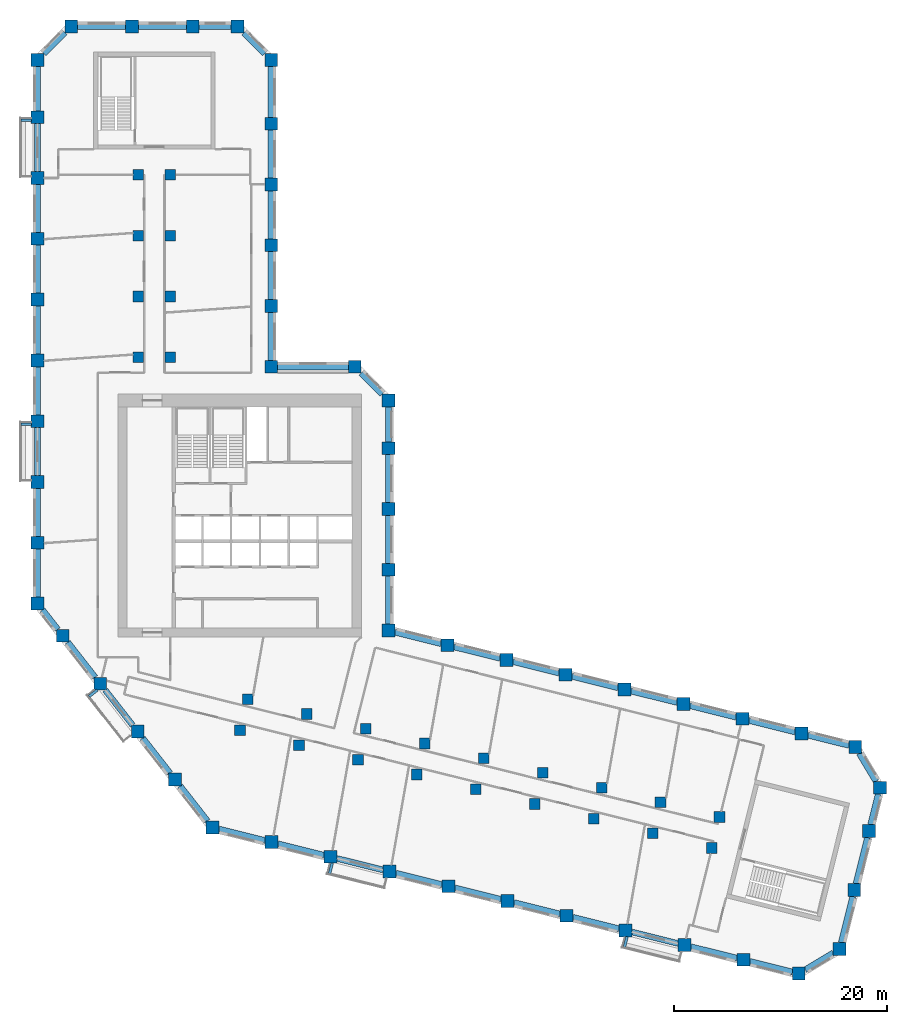
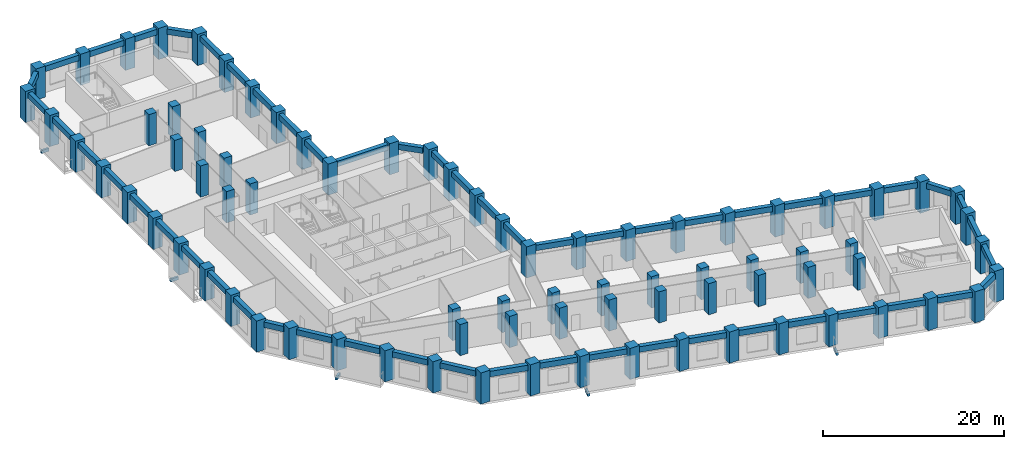
# One storey, part 1 of 10: 79 columns, 58 beams.
"""IFC4 building model written with IfcOpenShell, lengths in metres."""

import ifcopenshell
import ifcopenshell.guid

model = None  # the IFC model being written
_history = None  # IfcOwnerHistory: only IFC2X3 demands one
_inside = {}  # id of a spatial element -> (the spatial element, [elements in it])
_under = {}  # id of a project, library or spatial element -> (it, [spatial elements below it])
_declared = {}  # id of a project -> (the project, [libraries it declares])
_typed = {}  # id of a type object -> (the type object, [elements of that type])
_made_of = {}  # id of a material, layer set ... -> (it, [elements and type objects made of it])


def new_model(schema):
    """Start an empty IFC model of exactly this schema.

    Asked for "IFC4X3", IfcOpenShell would pick the latest addendum, in which some entities
    have other attributes; the version numbers below select the first issue.
    IFC2X3 requires an IfcOwnerHistory on every rooted entity: one is made here for all.
    """
    global model, _history
    if schema == "IFC4X3":
        model = ifcopenshell.file(schema_version=(4, 3, 0, 0))
    else:
        model = ifcopenshell.file(schema=schema)
    _inside.clear()
    _under.clear()
    _declared.clear()
    _typed.clear()
    _made_of.clear()
    _history = None
    if model.schema == "IFC2X3":
        org = make("IfcOrganization", Name="unknown")
        user = make(
            "IfcPersonAndOrganization",
            ThePerson=make("IfcPerson", FamilyName="unknown"),
            TheOrganization=org,
        )
        app = make(
            "IfcApplication",
            ApplicationDeveloper=org,
            Version="unknown",
            ApplicationFullName="unknown",
            ApplicationIdentifier="unknown",
        )
        _history = make(
            "IfcOwnerHistory",
            OwningUser=user,
            OwningApplication=app,
            ChangeAction="ADDED",
            CreationDate=0,
        )
    return model


def make(cls, **values):
    """One entity of the class cls with the attributes given. An attribute that is None is left unset."""
    return model.create_entity(
        cls, **{name: value for name, value in values.items() if value is not None}
    )


def rooted(cls, **values):
    """An entity with a GlobalId (a new one), such as an element, a storey or a relation."""
    return make(cls, GlobalId=ifcopenshell.guid.new(), OwnerHistory=_history, **values)


def si_unit(unit_type, name, prefix=None):
    """IfcSIUnit, for example si_unit("LENGTHUNIT", "METRE", prefix="MILLI")."""
    return make("IfcSIUnit", UnitType=unit_type, Prefix=prefix, Name=name)


def assignment(units):
    """IfcUnitAssignment: the units of a project."""
    return None if units is None else make("IfcUnitAssignment", Units=units)


def point(xyz):
    """IfcCartesianPoint."""
    return None if xyz is None else make("IfcCartesianPoint", Coordinates=xyz)


def direction(xyz):
    """IfcDirection."""
    return None if xyz is None else make("IfcDirection", DirectionRatios=xyz)


def frame(location, z_axis=None, x_axis=None):
    """IfcAxis2Placement3D, a coordinate frame: its origin and axes. An axis left out is left unset."""
    return make(
        "IfcAxis2Placement3D",
        Location=point(location),
        Axis=direction(z_axis),
        RefDirection=direction(x_axis),
    )


def frame_2d(location, x_axis=None):
    """IfcAxis2Placement2D, a coordinate frame in the plane: its origin and x axis."""
    return make(
        "IfcAxis2Placement2D", Location=point(location), RefDirection=direction(x_axis)
    )


def origin():
    """The frame at (0, 0, 0) with its axes left unset."""
    return frame((0.0, 0.0, 0.0))


def origin_2d():
    """The frame at (0, 0) in the plane with its x axis left unset."""
    return frame_2d((0.0, 0.0))


def place(relative_to, where):
    """IfcLocalPlacement: puts the frame where relative to a parent placement (None: the world)."""
    return make(
        "IfcLocalPlacement", PlacementRelTo=relative_to, RelativePlacement=where
    )


def context(
    kind, dimensions, precision=None, world=None, true_north=None, identifier=None
):
    """IfcGeometricRepresentationContext, for example the 3D "Model" context."""
    return make(
        "IfcGeometricRepresentationContext",
        ContextIdentifier=identifier,
        ContextType=kind,
        CoordinateSpaceDimension=dimensions,
        Precision=precision,
        WorldCoordinateSystem=world,
        TrueNorth=true_north,
    )


def subcontext(parent, identifier, kind, view, scale=None):
    """IfcGeometricRepresentationSubContext, for example "Body" below "Model"."""
    return make(
        "IfcGeometricRepresentationSubContext",
        ContextIdentifier=identifier,
        ContextType=kind,
        ParentContext=parent,
        TargetScale=scale,
        TargetView=view,
    )


def project(units=None, contexts=None):
    """IfcProject with its units and contexts."""
    return rooted(
        "IfcProject",
        Name="project",
        RepresentationContexts=contexts,
        UnitsInContext=assignment(units),
    )


def spatial(cls, under=None, at=None, **own):
    """A site, building, storey or space (cls), placed at a placement, below another one or the project."""
    s = rooted(cls, ObjectPlacement=at, **own)
    if under is not None:
        _under.setdefault(under.id(), (under, []))[1].append(s)
    return s


def profile(cls, at=None, kind="AREA", **sizes):
    """A parametric profile (cls). Its sizes go by their IFC names, for example OverallWidth=200.0."""
    return make(cls, ProfileType=kind, Position=at, **sizes)


def rectangle(**sizes):
    """IfcRectangleProfileDef."""
    return profile("IfcRectangleProfileDef", **sizes)


def extrude(swept, where, along, depth):
    """IfcExtrudedAreaSolid: the profile swept, set in the frame where, extruded along a direction by depth."""
    return make(
        "IfcExtrudedAreaSolid",
        SweptArea=swept,
        Position=where,
        ExtrudedDirection=direction(along),
        Depth=depth,
    )


def shape(context_of_items, identifier, shape_type, items):
    """IfcShapeRepresentation: the items that make up one representation, for example the "Body"."""
    return make(
        "IfcShapeRepresentation",
        ContextOfItems=context_of_items,
        RepresentationIdentifier=identifier,
        RepresentationType=shape_type,
        Items=items,
    )


def material(Name=None, Category=None):
    """IfcMaterial."""
    return make("IfcMaterial", Name=Name, Category=Category)


def material_profile(
    of_material, cross_section, Name=None, Category=None, Priority=None
):
    """IfcMaterialProfile: a cross section and its material."""
    return make(
        "IfcMaterialProfile",
        Name=Name,
        Material=of_material,
        Profile=cross_section,
        Priority=Priority,
        Category=Category,
    )


def profile_set(profiles, Name=None, composite=None):
    """IfcMaterialProfileSet."""
    return make(
        "IfcMaterialProfileSet",
        Name=Name,
        MaterialProfiles=profiles,
        CompositeProfile=composite,
    )


def made_of(thing, what):
    """Note that an element or type object is made of a material, layer set ...; save() writes the relation."""
    if what is not None:
        _made_of.setdefault(what.id(), (what, []))[1].append(thing)
    return thing


def type_object(cls, material=None, **own):
    """A type object (cls), such as IfcWallType, which elements share."""
    return made_of(rooted(cls, **own), material)


def element(
    cls,
    number,
    at=None,
    inside=None,
    cuts=None,
    type_object=None,
    material=None,
    context=None,
    identifier="Body",
    shape_type=None,
    held_by="IfcProductDefinitionShape",
    body=None,
    shapes=None,
    **own,
):
    """One element of the class cls, such as IfcWall. Its Tag is "e" and its number.

    at: its placement. inside: the storey or other place that contains it. cuts: it is an
    opening in that element (IfcRelVoidsElement). A single representation is given by context,
    identifier, shape_type and body (its items); several are given by shapes. held_by: the class
    of the entity that holds the representations. save() writes the other relations.
    """
    e = rooted(cls, Tag="e%d" % number, ObjectPlacement=at, **own)
    if body is not None:
        shapes = [shape(context, identifier, shape_type, body)]
    if shapes is not None:
        e.Representation = make(held_by, Representations=shapes)
    if inside is not None:
        _inside.setdefault(inside.id(), (inside, []))[1].append(e)
    if cuts is not None:
        rooted(
            "IfcRelVoidsElement", RelatingBuildingElement=cuts, RelatedOpeningElement=e
        )
    if type_object is not None:
        _typed.setdefault(type_object.id(), (type_object, []))[1].append(e)
    return made_of(e, material)


def aggregate(whole, parts):
    """IfcRelAggregates: a whole, such as a stair, and the parts it consists of."""
    return rooted("IfcRelAggregates", RelatingObject=whole, RelatedObjects=parts)


def save(model, path):
    """Write the relations noted so far, then the file.

    IfcRelAggregates (storeys below a building ...), IfcRelContainedInSpatialStructure (elements
    in a storey), IfcRelDefinesByType, IfcRelAssociatesMaterial and IfcRelDeclares: one each for
    every whole, place, type object, material and project.
    """
    for whole, parts in _under.values():
        aggregate(whole, parts)
    for where, things in _inside.values():
        rooted(
            "IfcRelContainedInSpatialStructure",
            RelatedElements=things,
            RelatingStructure=where,
        )
    for kind, things in _typed.values():
        rooted("IfcRelDefinesByType", RelatedObjects=things, RelatingType=kind)
    for what, things in _made_of.values():
        rooted("IfcRelAssociatesMaterial", RelatedObjects=things, RelatingMaterial=what)
    for by, libraries in _declared.values():
        rooted("IfcRelDeclares", RelatingContext=by, RelatedDefinitions=libraries)
    model.write(path)


model = new_model("IFC4")

# Units and contexts
model_context = context("Model", 3, precision=1e-05, world=origin(), true_north=direction((0.0, 1.0)))
body_context = subcontext(model_context, "Body", "Model", "MODEL_VIEW")
ifc_project = project(units=[si_unit("LENGTHUNIT", "METRE"), si_unit("AREAUNIT", "SQUARE_METRE"), si_unit("VOLUMEUNIT", "CUBIC_METRE"), si_unit("PLANEANGLEUNIT", "RADIAN"), si_unit("MASSUNIT", "GRAM", prefix="KILO")], contexts=[model_context])

# Site, building, storey
site_placement = place(None, origin())
site = spatial("IfcSite", under=ifc_project, at=site_placement, CompositionType="ELEMENT")
building_placement = place(site_placement, origin())
building = spatial("IfcBuilding", under=site, at=building_placement, Name="Meshkara Civic Tower", CompositionType="ELEMENT")
storey_placement = place(building_placement, frame((0.0, 0.0, 199.199951171875)))
storey = spatial("IfcBuildingStorey", under=building, at=storey_placement, Name="L45", CompositionType="ELEMENT", Elevation=199.199951171875)

# Columns
ifc_material_1 = material(Name="Concrete C70", Category="concrete")
ifc_material_profile_1 = material_profile(ifc_material_1, rectangle(XDim=1.0, YDim=1.0, at=origin_2d()))
ifc_profile_set_1 = profile_set([ifc_material_profile_1], Name="Concrete C70")
column_type_1 = type_object("IfcColumnType", Name="Interior column RC 1000x1000 C70", PredefinedType="COLUMN", material=ifc_profile_set_1)
for number, where, z_axis, x_axis, name in (
    (1, (9.89990234375, 40.35009765625, 0.0), (0.0, 0.0, 1.0), (1.0, 0.0, 0.0), "Column SA1-04 L45"),
    (2, (9.89990234375, 46.050048828125, 0.0), (0.0, 0.0, 1.0), (1.0, 0.0, 0.0), "Column SA1-05 L45"),
    (3, (9.89990234375, 51.75, 0.0), (0.0, 0.0, 1.0), (1.0, 0.0, 0.0), "Column SA1-06 L45"),
    (4, (9.89990234375, 57.449951171875, 0.0), (0.0, 0.0, 1.0), (1.0, 0.0, 0.0), "Column SA1-07 L45"),
    (5, (12.89990234375, 40.35009765625, 0.0), (0.0, 0.0, 1.0), (1.0, 0.0, 0.0), "Column SA2-04 L45"),
    (6, (12.89990234375, 46.050048828125, 0.0), (0.0, 0.0, 1.0), (1.0, 0.0, 0.0), "Column SA2-05 L45"),
    (7, (12.89990234375, 51.75, 0.0), (0.0, 0.0, 1.0), (1.0, 0.0, 0.0), "Column SA2-06 L45"),
    (8, (12.89990234375, 57.449951171875, 0.0), (0.0, 0.0, 1.0), (1.0, 0.0, 0.0), "Column SA2-07 L45"),
    (9, (19.424072265625, 5.360107421875, 0.0), (0.0, 0.0, 1.0), (1.0, 0.0, 0.0), "Column SB1-00 L45"),
    (10, (24.9541015625, 3.98095703125, 0.0), (0.0, 0.0, 1.0), (1.0, 0.0, 0.0), "Column SB1-01 L45"),
    (11, (30.485107421875, 2.60205078125, 0.0), (0.0, 0.0, 1.0), (1.0, 0.0, 0.0), "Column SB1-02 L45"),
    (12, (36.01611328125, 1.222900390625, 0.0), (0.0, 0.0, 1.0), (1.0, 0.0, 0.0), "Column SB1-03 L45"),
    (13, (41.5458984375, -0.156005859375, 0.0), (0.0, 0.0, 1.0), (1.0, 0.0, 0.0), "Column SB1-04 L45"),
    (14, (47.076904296875, -1.534912109375, 0.0), (0.0, 0.0, 1.0), (1.0, 0.0, 0.0), "Column SB1-05 L45"),
    (15, (52.60791015625, -2.9140625, 0.0), (0.0, 0.0, 1.0), (1.0, 0.0, 0.0), "Column SB1-06 L45"),
    (16, (58.138916015625, -4.2919921875, 0.0), (0.0, 0.0, 1.0), (1.0, 0.0, 0.0), "Column SB1-07 L45"),
    (17, (63.6689453125, -5.6708984375, 0.0), (0.0, 0.0, 1.0), (1.0, 0.0, 0.0), "Column SB1-08 L45"),
    (18, (20.14892578125, 8.27099609375, 0.0), (0.0, 0.0, 1.0), (1.0, 0.0, 0.0), "Column SB2-00 L45"),
    (19, (25.679931640625, 6.89208984375, 0.0), (0.0, 0.0, 1.0), (1.0, 0.0, 0.0), "Column SB2-01 L45"),
    (20, (31.2109375, 5.512939453125, 0.0), (0.0, 0.0, 1.0), (1.0, 0.0, 0.0), "Column SB2-02 L45"),
    (21, (36.741943359375, 4.134033203125, 0.0), (0.0, 0.0, 1.0), (1.0, 0.0, 0.0), "Column SB2-03 L45"),
    (22, (42.27197265625, 2.7548828125, 0.0), (0.0, 0.0, 1.0), (1.0, 0.0, 0.0), "Column SB2-04 L45"),
    (23, (47.802978515625, 1.3759765625, 0.0), (0.0, 0.0, 1.0), (1.0, 0.0, 0.0), "Column SB2-05 L45"),
    (24, (53.333984375, -0.0029296875, 0.0), (0.0, 0.0, 1.0), (1.0, 0.0, 0.0), "Column SB2-06 L45"),
    (25, (58.864013671875, -1.382080078125, 0.0), (0.0, 0.0, 1.0), (1.0, 0.0, 0.0), "Column SB2-07 L45"),
    (26, (64.39501953125, -2.760986328125, 0.0), (0.0, 0.0, 1.0), (1.0, 0.0, 0.0), "Column SB2-08 L45"),
):
    element("IfcColumn", number, at=place(storey_placement, frame(where, z_axis=z_axis, x_axis=x_axis)), inside=storey, type_object=column_type_1, Name=name, PredefinedType="COLUMN", context=body_context, shape_type="SweptSolid", body=[
        extrude(rectangle(XDim=1.0, YDim=1.0, at=origin_2d()), origin(), (0.0, 0.0, 1.0), 4.199951171875),
    ])
ifc_material_2 = material(Name="Concrete C70", Category="concrete")
ifc_material_profile_2 = material_profile(ifc_material_2, rectangle(XDim=1.199951171875, YDim=1.199951171875, at=origin_2d()))
ifc_profile_set_2 = profile_set([ifc_material_profile_2], Name="Concrete C70")
column_type_2 = type_object("IfcColumnType", Name="Perimeter column RC 1200x1200 C70", PredefinedType="COLUMN", material=ifc_profile_set_2)
for number, where, z_axis, x_axis, name in (
    (27, (33.35009765625, 14.718994140625, 0.0), (0.0, 0.0, 1.0), (1.0, 0.0, 0.0), "Column HE00 L45"),
    (28, (33.35009765625, 20.4189453125, 0.0), (0.0, 0.0, 1.0), (1.0, 0.0, 0.0), "Column HE01 L45"),
    (29, (33.35009765625, 26.118896484375, 0.0), (0.0, 0.0, 1.0), (1.0, 0.0, 0.0), "Column HE02 L45"),
    (30, (33.35009765625, 31.819091796875, 0.0), (0.0, 0.0, 1.0), (1.0, 0.0, 0.0), "Column HE03 L45"),
    (31, (33.35009765625, 36.2939453125, 0.0), (0.0, 0.0, 1.0), (1.0, 0.0, 0.0), "Column HEE L45"),
    (32, (30.194091796875, 39.449951171875, 0.0), (0.0, 0.0, 1.0), (1.0, 0.0, 0.0), "Column HCeE L45"),
    (33, (22.35009765625, 39.449951171875, 0.0), (0.0, 0.0, 1.0), (1.0, 0.0, 0.0), "Column HN00 L45"),
    (34, (22.35009765625, 45.14990234375, 0.0), (0.0, 0.0, 1.0), (1.0, 0.0, 0.0), "Column AE01 L45"),
    (35, (22.35009765625, 50.85009765625, 0.0), (0.0, 0.0, 1.0), (1.0, 0.0, 0.0), "Column AE02 L45"),
    (36, (22.35009765625, 56.550048828125, 0.0), (0.0, 0.0, 1.0), (1.0, 0.0, 0.0), "Column AE03 L45"),
    (37, (22.35009765625, 62.25, 0.0), (0.0, 0.0, 1.0), (1.0, 0.0, 0.0), "Column AE04 L45"),
    (38, (22.35009765625, 68.214111328125, 0.0), (0.0, 0.0, 1.0), (1.0, 0.0, 0.0), "Column AEEP2 L45"),
    (39, (19.194091796875, 71.3701171875, 0.0), (0.0, 0.0, 1.0), (1.0, 0.0, 0.0), "Column ATiEP2 L45"),
    (40, (3.60595703125, 71.3701171875, 0.0), (0.0, 0.0, 1.0), (1.0, 0.0, 0.0), "Column AT00-P2 L45"),
    (41, (9.305908203125, 71.3701171875, 0.0), (0.0, 0.0, 1.0), (1.0, 0.0, 0.0), "Column AT01-P2 L45"),
    (42, (15.006103515625, 71.3701171875, 0.0), (0.0, 0.0, 1.0), (1.0, 0.0, 0.0), "Column AT02-P2 L45"),
    (43, (0.449951171875, 68.214111328125, 0.0), (0.0, 0.0, 1.0), (1.0, 0.0, 0.0), "Column ATo00-P2 L45"),
    (44, (0.449951171875, 17.2548828125, 0.0), (0.0, 0.0, 1.0), (1.0, 0.0, 0.0), "Column AW00 L45"),
    (45, (0.449951171875, 22.955078125, 0.0), (0.0, 0.0, 1.0), (1.0, 0.0, 0.0), "Column AW01 L45"),
    (46, (0.449951171875, 28.655029296875, 0.0), (0.0, 0.0, 1.0), (1.0, 0.0, 0.0), "Column AW02 L45"),
    (47, (0.449951171875, 34.35498046875, 0.0), (0.0, 0.0, 1.0), (1.0, 0.0, 0.0), "Column AW03 L45"),
    (48, (0.449951171875, 40.054931640625, 0.0), (0.0, 0.0, 1.0), (1.0, 0.0, 0.0), "Column AW04 L45"),
    (49, (0.449951171875, 45.7548828125, 0.0), (0.0, 0.0, 1.0), (1.0, 0.0, 0.0), "Column AW05 L45"),
    (50, (0.449951171875, 51.455078125, 0.0), (0.0, 0.0, 1.0), (1.0, 0.0, 0.0), "Column AW06 L45"),
    (51, (0.449951171875, 57.155029296875, 0.0), (0.0, 0.0, 1.0), (1.0, 0.0, 0.0), "Column AW07 L45"),
    (52, (0.449951171875, 62.85498046875, 0.0), (0.0, 0.0, 1.0), (1.0, 0.0, 0.0), "Column AW08 L45"),
    (53, (16.85107421875, -3.738037109375, 0.0), (0.0, 0.0, 1.0), (1.0, 0.0, 0.0), "Column BOW00 L45"),
    (54, (13.342041015625, 0.75390625, 0.0), (0.0, 0.0, 1.0), (1.0, 0.0, 0.0), "Column BOW01 L45"),
    (55, (9.8330078125, 5.2451171875, 0.0), (0.0, 0.0, 1.0), (1.0, 0.0, 0.0), "Column BOW02 L45"),
    (56, (6.322998046875, 9.737060546875, 0.0), (0.0, 0.0, 1.0), (1.0, 0.0, 0.0), "Column BOW03 L45"),
    (57, (2.81396484375, 14.22900390625, 0.0), (0.0, 0.0, 1.0), (1.0, 0.0, 0.0), "Column BOW04 L45"),
    (58, (22.382080078125, -5.116943359375, 0.0), (0.0, 0.0, 1.0), (1.0, 0.0, 0.0), "Column BS01 L45"),
    (59, (27.912109375, -6.49609375, 0.0), (0.0, 0.0, 1.0), (1.0, 0.0, 0.0), "Column BS02 L45"),
    (60, (33.443115234375, -7.875, 0.0), (0.0, 0.0, 1.0), (1.0, 0.0, 0.0), "Column BS03 L45"),
    (61, (38.97412109375, -9.2529296875, 0.0), (0.0, 0.0, 1.0), (1.0, 0.0, 0.0), "Column BS04-P1 L45"),
    (62, (44.5048828125, -10.632080078125, 0.0), (0.0, 0.0, 1.0), (1.0, 0.0, 0.0), "Column BS05 L45"),
    (63, (50.034912109375, -12.010986328125, 0.0), (0.0, 0.0, 1.0), (1.0, 0.0, 0.0), "Column BS06 L45"),
    (64, (55.56591796875, -13.389892578125, 0.0), (0.0, 0.0, 1.0), (1.0, 0.0, 0.0), "Column BS07 L45"),
    (65, (61.096923828125, -14.76904296875, 0.0), (0.0, 0.0, 1.0), (1.0, 0.0, 0.0), "Column BS08 L45"),
    (66, (66.626953125, -16.14794921875, 0.0), (0.0, 0.0, 1.0), (1.0, 0.0, 0.0), "Column BS09 L45"),
    (67, (71.826904296875, -17.444091796875, 0.0), (0.0, 0.0, 1.0), (1.0, 0.0, 0.0), "Column BSEP2 L45"),
    (68, (75.653076171875, -15.14501953125, 0.0), (0.0, 0.0, 1.0), (1.0, 0.0, 0.0), "Column BToEP2 L45"),
    (69, (77.031982421875, -9.614013671875, 0.0), (0.0, 0.0, 1.0), (1.0, 0.0, 0.0), "Column BT01-P2 L45"),
    (70, (78.410888671875, -4.083984375, 0.0), (0.0, 0.0, 1.0), (1.0, 0.0, 0.0), "Column BT02-P2 L45"),
    (71, (79.424072265625, -0.02099609375, 0.0), (0.0, 0.0, 1.0), (1.0, 0.0, 0.0), "Column BTEP2 L45"),
    (72, (77.125, 3.803955078125, 0.0), (0.0, 0.0, 1.0), (1.0, 0.0, 0.0), "Column BTi00-P2 L45"),
    (73, (38.881103515625, 13.340087890625, 0.0), (0.0, 0.0, 1.0), (1.0, 0.0, 0.0), "Column BN01 L45"),
    (74, (44.410888671875, 11.9609375, 0.0), (0.0, 0.0, 1.0), (1.0, 0.0, 0.0), "Column BN02 L45"),
    (75, (49.94189453125, 10.58203125, 0.0), (0.0, 0.0, 1.0), (1.0, 0.0, 0.0), "Column BN03 L45"),
    (76, (55.472900390625, 9.202880859375, 0.0), (0.0, 0.0, 1.0), (1.0, 0.0, 0.0), "Column BN04 L45"),
    (77, (61.0029296875, 7.823974609375, 0.0), (0.0, 0.0, 1.0), (1.0, 0.0, 0.0), "Column BN05 L45"),
    (78, (66.533935546875, 6.445068359375, 0.0), (0.0, 0.0, 1.0), (1.0, 0.0, 0.0), "Column BN06 L45"),
    (79, (72.06494140625, 5.06591796875, 0.0), (0.0, 0.0, 1.0), (1.0, 0.0, 0.0), "Column BN07 L45"),
):
    element("IfcColumn", number, at=place(storey_placement, frame(where, z_axis=z_axis, x_axis=x_axis)), inside=storey, type_object=column_type_2, Name=name, PredefinedType="COLUMN", context=body_context, shape_type="SweptSolid", body=[
        extrude(rectangle(XDim=1.199951171875, YDim=1.199951171875, at=origin_2d()), origin(), (0.0, 0.0, 1.0), 4.199951171875),
    ])

# Beams
ifc_material_3 = material(Name="Concrete C50", Category="concrete")
ifc_material_profile_3 = material_profile(ifc_material_3, rectangle(XDim=0.25, YDim=0.39990234375, at=origin_2d()))
ifc_profile_set_3 = profile_set([ifc_material_profile_3], Name="Concrete C50")
beam_type_1 = type_object("IfcBeamType", Name="Balcony bracket beam RC 250x400 C50", PredefinedType="BEAM", material=ifc_profile_set_3)
for number, where, z_axis, x_axis, name in (
    (80, (-0.14501953125, 62.554931640625, -0.5), (-1.0, 0.0, 0.0), (0.0, -1.0, 0.0), "Balcony bracket beam"),
    (81, (-0.14501953125, 34.054931640625, -0.5), (-1.0, 0.0, 0.0), (0.0, -1.0, 0.0), "Balcony bracket beam"),
):
    element("IfcBeam", number, at=place(storey_placement, frame(where, z_axis=z_axis, x_axis=x_axis)), inside=storey, type_object=beam_type_1, Name=name, PredefinedType="BEAM", context=body_context, shape_type="SweptSolid", body=[
        extrude(rectangle(XDim=0.25, YDim=0.39990234375, at=origin_2d()), origin(), (0.0, 0.0, 1.0), 0.955078125),
    ])
beam_1_placement = place(storey_placement, frame((6.0458984375, 9.139892578125, -0.5), z_axis=(-0.788039749588, -0.61562436036, 0.0), x_axis=(0.61562436036, -0.788039749588, 0.0)))
element("IfcBeam", 82, at=beam_1_placement, inside=storey, type_object=beam_type_1, Name="Balcony bracket beam", PredefinedType="BEAM", context=body_context, shape_type="SweptSolid", body=[
    extrude(rectangle(XDim=0.25, YDim=0.39990234375, at=origin_2d()), origin(), (0.0, 0.0, 1.0), 0.962890625),
])
beam_2_placement = place(storey_placement, frame((28.072998046875, -7.091064453125, -0.5), z_axis=(-0.242421996939, -0.9701709001, 0.0), x_axis=(0.9701709001, -0.242421996939, 0.0)))
element("IfcBeam", 83, at=beam_2_placement, inside=storey, type_object=beam_type_1, Name="Balcony bracket beam", PredefinedType="BEAM", context=body_context, shape_type="SweptSolid", body=[
    extrude(rectangle(XDim=0.25, YDim=0.39990234375, at=origin_2d()), origin(), (0.0, 0.0, 1.0), 1.01123046875),
])
beam_3_placement = place(storey_placement, frame((55.72705078125, -13.985107421875, -0.5), z_axis=(-0.24219504991, -0.970227580416, 0.0), x_axis=(0.970227580416, -0.24219504991, 0.0)))
element("IfcBeam", 84, at=beam_3_placement, inside=storey, type_object=beam_type_1, Name="Balcony bracket beam", PredefinedType="BEAM", context=body_context, shape_type="SweptSolid", body=[
    extrude(rectangle(XDim=0.25, YDim=0.39990234375, at=origin_2d()), origin(), (0.0, 0.0, 1.0), 1.011962890625),
])
ifc_material_4 = material(Name="Concrete C60", Category="concrete")
ifc_material_profile_4 = material_profile(ifc_material_4, rectangle(XDim=0.550048828125, YDim=0.75, at=origin_2d()))
ifc_profile_set_4 = profile_set([ifc_material_profile_4], Name="Concrete C60")
beam_type_2 = type_object("IfcBeamType", Name="Spandrel beam RC 550x750 C60", PredefinedType="BEAM", material=ifc_profile_set_4)
for number, where, z_axis, x_axis, name in (
    (85, (71.469970703125, 5.21435546875, 3.525146484375), (-0.970296390995, 0.241919229543, 0.0), (-0.241919229543, -0.970296390995, 0.0), "Spandrel beam BN06-BN07"),
    (86, (65.93896484375, 6.593505859375, 3.525146484375), (-0.970309199754, 0.241867850018, 0.0), (-0.241867850018, -0.970309199754, 0.0), "Spandrel beam BN05-BN06"),
):
    element("IfcBeam", number, at=place(storey_placement, frame(where, z_axis=z_axis, x_axis=x_axis)), inside=storey, type_object=beam_type_2, Name=name, PredefinedType="BEAM", context=body_context, shape_type="SweptSolid", body=[
        extrude(rectangle(XDim=0.550048828125, YDim=0.75, at=origin_2d()), origin(), (0.0, 0.0, 1.0), 4.4736328125),
    ])
beam_4_placement = place(storey_placement, frame((60.407958984375, 7.972412109375, 3.525146484375), z_axis=(-0.970283611566, 0.241970479865, 0.0), x_axis=(-0.241970479865, -0.970283611566, 0.0)))
element("IfcBeam", 87, at=beam_4_placement, inside=storey, type_object=beam_type_2, Name="Spandrel beam BN04-BN05", PredefinedType="BEAM", context=body_context, shape_type="SweptSolid", body=[
    extrude(rectangle(XDim=0.550048828125, YDim=0.75, at=origin_2d()), origin(), (0.0, 0.0, 1.0), 4.47265625),
])
for number, where, z_axis, x_axis, name in (
    (88, (54.8779296875, 9.351318359375, 3.525146484375), (-0.970296390995, 0.241919229543, 0.0), (-0.241919229543, -0.970296390995, 0.0), "Spandrel beam BN03-BN04"),
    (89, (49.346923828125, 10.73046875, 3.525146484375), (-0.970309199754, 0.241867850018, 0.0), (-0.241867850018, -0.970309199754, 0.0), "Spandrel beam BN02-BN03"),
):
    element("IfcBeam", number, at=place(storey_placement, frame(where, z_axis=z_axis, x_axis=x_axis)), inside=storey, type_object=beam_type_2, Name=name, PredefinedType="BEAM", context=body_context, shape_type="SweptSolid", body=[
        extrude(rectangle(XDim=0.550048828125, YDim=0.75, at=origin_2d()), origin(), (0.0, 0.0, 1.0), 4.4736328125),
    ])
beam_5_placement = place(storey_placement, frame((43.81591796875, 12.109375, 3.525146484375), z_axis=(-0.970283611566, 0.241970479865, 0.0), x_axis=(-0.241970479865, -0.970283611566, 0.0)))
element("IfcBeam", 90, at=beam_5_placement, inside=storey, type_object=beam_type_2, Name="Spandrel beam BN01-BN02", PredefinedType="BEAM", context=body_context, shape_type="SweptSolid", body=[
    extrude(rectangle(XDim=0.550048828125, YDim=0.75, at=origin_2d()), origin(), (0.0, 0.0, 1.0), 4.47265625),
])
beam_6_placement = place(storey_placement, frame((38.285888671875, 13.48828125, 3.525146484375), z_axis=(-0.970296390995, 0.241919229543, 0.0), x_axis=(-0.241919229543, -0.970296390995, 0.0)))
element("IfcBeam", 91, at=beam_6_placement, inside=storey, type_object=beam_type_2, Name="Spandrel beam BN01-HE00", PredefinedType="BEAM", context=body_context, shape_type="SweptSolid", body=[
    extrude(rectangle(XDim=0.550048828125, YDim=0.75, at=origin_2d()), origin(), (0.0, 0.0, 1.0), 4.4736328125),
])
for number, where, z_axis, x_axis, name in (
    (92, (33.35009765625, 15.31396484375, 3.525146484375), (0.0, 1.0, 0.0), (-1.0, 0.0, 0.0), "Spandrel beam HE00-HE01"),
    (93, (33.35009765625, 21.013916015625, 3.525146484375), (0.0, 1.0, 0.0), (-1.0, 0.0, 0.0), "Spandrel beam HE01-HE02"),
    (94, (33.35009765625, 26.714111328125, 3.525146484375), (0.0, 1.0, 0.0), (-1.0, 0.0, 0.0), "Spandrel beam HE02-HE03"),
):
    element("IfcBeam", number, at=place(storey_placement, frame(where, z_axis=z_axis, x_axis=x_axis)), inside=storey, type_object=beam_type_2, Name=name, PredefinedType="BEAM", context=body_context, shape_type="SweptSolid", body=[
        extrude(rectangle(XDim=0.550048828125, YDim=0.75, at=origin_2d()), origin(), (0.0, 0.0, 1.0), 4.510009765625),
    ])
beam_7_placement = place(storey_placement, frame((33.35009765625, 32.4140625, 3.525146484375), z_axis=(0.0, 1.0, 0.0), x_axis=(-1.0, 0.0, 0.0)))
element("IfcBeam", 95, at=beam_7_placement, inside=storey, type_object=beam_type_2, Name="Spandrel beam HE03-HEE", PredefinedType="BEAM", context=body_context, shape_type="SweptSolid", body=[
    extrude(rectangle(XDim=0.550048828125, YDim=0.75, at=origin_2d()), origin(), (0.0, 0.0, 1.0), 3.284912109375),
])
beam_8_placement = place(storey_placement, frame((32.75341796875, 36.890380859375, 3.525146484375), z_axis=(-0.707062808252, 0.707150751387, 0.0), x_axis=(-0.707150751387, -0.707062808252, 0.0)))
element("IfcBeam", 96, at=beam_8_placement, inside=storey, type_object=beam_type_2, Name="Spandrel beam HCeE-HEE", PredefinedType="BEAM", context=body_context, shape_type="SweptSolid", body=[
    extrude(rectangle(XDim=0.550048828125, YDim=0.75, at=origin_2d()), origin(), (0.0, 0.0, 1.0), 2.776123046875),
])
beam_9_placement = place(storey_placement, frame((29.59912109375, 39.449951171875, 3.525146484375), z_axis=(-1.0, 0.0, 0.0), x_axis=(0.0, -1.0, 0.0)))
element("IfcBeam", 97, at=beam_9_placement, inside=storey, type_object=beam_type_2, Name="Spandrel beam HCeE-HN00", PredefinedType="BEAM", context=body_context, shape_type="SweptSolid", body=[
    extrude(rectangle(XDim=0.550048828125, YDim=0.75, at=origin_2d()), origin(), (0.0, 0.0, 1.0), 6.654052734375),
])
beam_10_placement = place(storey_placement, frame((22.35009765625, 40.044921875, 3.525146484375), z_axis=(0.0, 1.0, 0.0), x_axis=(-1.0, 0.0, 0.0)))
element("IfcBeam", 98, at=beam_10_placement, inside=storey, type_object=beam_type_2, Name="Spandrel beam AE01-HN00", PredefinedType="BEAM", context=body_context, shape_type="SweptSolid", body=[
    extrude(rectangle(XDim=0.550048828125, YDim=0.75, at=origin_2d()), origin(), (0.0, 0.0, 1.0), 4.510009765625),
])
beam_11_placement = place(storey_placement, frame((22.35009765625, 45.7451171875, 3.525146484375), z_axis=(0.0, 1.0, 0.0), x_axis=(-1.0, 0.0, 0.0)))
element("IfcBeam", 99, at=beam_11_placement, inside=storey, type_object=beam_type_2, Name="Spandrel beam AE01-AE02", PredefinedType="BEAM", context=body_context, shape_type="SweptSolid", body=[
    extrude(rectangle(XDim=0.550048828125, YDim=0.75, at=origin_2d()), origin(), (0.0, 0.0, 1.0), 4.509765625),
])
for number, where, z_axis, x_axis, name in (
    (100, (22.35009765625, 51.445068359375, 3.525146484375), (0.0, 1.0, 0.0), (-1.0, 0.0, 0.0), "Spandrel beam AE02-AE03"),
    (101, (22.35009765625, 57.14501953125, 3.525146484375), (0.0, 1.0, 0.0), (-1.0, 0.0, 0.0), "Spandrel beam AE03-AE04"),
):
    element("IfcBeam", number, at=place(storey_placement, frame(where, z_axis=z_axis, x_axis=x_axis)), inside=storey, type_object=beam_type_2, Name=name, PredefinedType="BEAM", context=body_context, shape_type="SweptSolid", body=[
        extrude(rectangle(XDim=0.550048828125, YDim=0.75, at=origin_2d()), origin(), (0.0, 0.0, 1.0), 4.510009765625),
    ])
beam_12_placement = place(storey_placement, frame((22.35009765625, 62.844970703125, 3.525146484375), z_axis=(0.0, 1.0, 0.0), x_axis=(-1.0, 0.0, 0.0)))
element("IfcBeam", 102, at=beam_12_placement, inside=storey, type_object=beam_type_2, Name="Spandrel beam AE04-AEEP2", PredefinedType="BEAM", context=body_context, shape_type="SweptSolid", body=[
    extrude(rectangle(XDim=0.550048828125, YDim=0.75, at=origin_2d()), origin(), (0.0, 0.0, 1.0), 4.77392578125),
])
beam_13_placement = place(storey_placement, frame((21.75341796875, 68.810546875, 3.525146484375), z_axis=(-0.707106781187, 0.707106781187, 0.0), x_axis=(-0.707106781187, -0.707106781187, 0.0)))
element("IfcBeam", 103, at=beam_13_placement, inside=storey, type_object=beam_type_2, Name="Spandrel beam AEEP2-ATiEP2", PredefinedType="BEAM", context=body_context, shape_type="SweptSolid", body=[
    extrude(rectangle(XDim=0.550048828125, YDim=0.75, at=origin_2d()), origin(), (0.0, 0.0, 1.0), 2.77587890625),
])
beam_14_placement = place(storey_placement, frame((18.59912109375, 71.3701171875, 3.525146484375), z_axis=(-1.0, 0.0, 0.0), x_axis=(0.0, -1.0, 0.0)))
element("IfcBeam", 104, at=beam_14_placement, inside=storey, type_object=beam_type_2, Name="Spandrel beam AT02-P2-ATiEP2", PredefinedType="BEAM", context=body_context, shape_type="SweptSolid", body=[
    extrude(rectangle(XDim=0.550048828125, YDim=0.75, at=origin_2d()), origin(), (0.0, 0.0, 1.0), 2.998046875),
])
for number, where, z_axis, x_axis, name in (
    (105, (14.410888671875, 71.3701171875, 3.525146484375), (-1.0, 0.0, 0.0), (0.0, -1.0, 0.0), "Spandrel beam AT01-P2-AT02-P2"),
    (106, (8.7109375, 71.3701171875, 3.525146484375), (-1.0, 0.0, 0.0), (0.0, -1.0, 0.0), "Spandrel beam AT00-P2-AT01-P2"),
):
    element("IfcBeam", number, at=place(storey_placement, frame(where, z_axis=z_axis, x_axis=x_axis)), inside=storey, type_object=beam_type_2, Name=name, PredefinedType="BEAM", context=body_context, shape_type="SweptSolid", body=[
        extrude(rectangle(XDim=0.550048828125, YDim=0.75, at=origin_2d()), origin(), (0.0, 0.0, 1.0), 4.510009765625),
    ])
beam_15_placement = place(storey_placement, frame((3.009521484375, 70.7734375, 3.525146484375), z_axis=(-0.707150751387, -0.707062808252, 0.0), x_axis=(0.707062808252, -0.707150751387, 0.0)))
element("IfcBeam", 107, at=beam_15_placement, inside=storey, type_object=beam_type_2, Name="Spandrel beam AT00-P2-ATo00-P2", PredefinedType="BEAM", context=body_context, shape_type="SweptSolid", body=[
    extrude(rectangle(XDim=0.550048828125, YDim=0.75, at=origin_2d()), origin(), (0.0, 0.0, 1.0), 2.776123046875),
])
beam_16_placement = place(storey_placement, frame((0.449951171875, 67.618896484375, 3.525146484375), z_axis=(0.0, -1.0, 0.0), x_axis=(1.0, 0.0, 0.0)))
element("IfcBeam", 108, at=beam_16_placement, inside=storey, type_object=beam_type_2, Name="Spandrel beam ATo00-P2-AW08", PredefinedType="BEAM", context=body_context, shape_type="SweptSolid", body=[
    extrude(rectangle(XDim=0.550048828125, YDim=0.75, at=origin_2d()), origin(), (0.0, 0.0, 1.0), 4.1689453125),
])
for number, where, z_axis, x_axis, name in (
    (109, (0.449951171875, 62.260009765625, 3.525146484375), (0.0, -1.0, 0.0), (1.0, 0.0, 0.0), "Spandrel beam AW07-AW08"),
    (110, (0.449951171875, 56.56005859375, 3.525146484375), (0.0, -1.0, 0.0), (1.0, 0.0, 0.0), "Spandrel beam AW06-AW07"),
    (111, (0.449951171875, 50.860107421875, 3.525146484375), (0.0, -1.0, 0.0), (1.0, 0.0, 0.0), "Spandrel beam AW05-AW06"),
    (112, (0.449951171875, 45.159912109375, 3.525146484375), (0.0, -1.0, 0.0), (1.0, 0.0, 0.0), "Spandrel beam AW04-AW05"),
    (113, (0.449951171875, 39.4599609375, 3.525146484375), (0.0, -1.0, 0.0), (1.0, 0.0, 0.0), "Spandrel beam AW03-AW04"),
    (114, (0.449951171875, 33.760009765625, 3.525146484375), (0.0, -1.0, 0.0), (1.0, 0.0, 0.0), "Spandrel beam AW02-AW03"),
    (115, (0.449951171875, 28.06005859375, 3.525146484375), (0.0, -1.0, 0.0), (1.0, 0.0, 0.0), "Spandrel beam AW01-AW02"),
    (116, (0.449951171875, 22.360107421875, 3.525146484375), (0.0, -1.0, 0.0), (1.0, 0.0, 0.0), "Spandrel beam AW00-AW01"),
):
    element("IfcBeam", number, at=place(storey_placement, frame(where, z_axis=z_axis, x_axis=x_axis)), inside=storey, type_object=beam_type_2, Name=name, PredefinedType="BEAM", context=body_context, shape_type="SweptSolid", body=[
        extrude(rectangle(XDim=0.550048828125, YDim=0.75, at=origin_2d()), origin(), (0.0, 0.0, 1.0), 4.510009765625),
    ])
beam_17_placement = place(storey_placement, frame((0.915771484375, 16.658935546875, 3.525146484375), z_axis=(0.615646077935, -0.788022783124, 0.0), x_axis=(0.788022783124, 0.615646077935, 0.0)))
element("IfcBeam", 117, at=beam_17_placement, inside=storey, type_object=beam_type_2, Name="Spandrel beam AW00-BOW04", PredefinedType="BEAM", context=body_context, shape_type="SweptSolid", body=[
    extrude(rectangle(XDim=0.550048828125, YDim=0.75, at=origin_2d()), origin(), (0.0, 0.0, 1.0), 2.326904296875),
])
beam_18_placement = place(storey_placement, frame((3.279541015625, 13.6328125, 3.525146484375), z_axis=(0.615630464754, -0.788034980738, 0.0), x_axis=(0.788034980738, 0.615630464754, 0.0)))
element("IfcBeam", 118, at=beam_18_placement, inside=storey, type_object=beam_type_2, Name="Spandrel beam BOW03-BOW04", PredefinedType="BEAM", context=body_context, shape_type="SweptSolid", body=[
    extrude(rectangle(XDim=0.550048828125, YDim=0.75, at=origin_2d()), origin(), (0.0, 0.0, 1.0), 4.1875),
])
beam_19_placement = place(storey_placement, frame((6.788818359375, 9.140869140625, 3.525146484375), z_axis=(0.61570287025, -0.787978410596, 0.0), x_axis=(0.787978410596, 0.61570287025, 0.0)))
element("IfcBeam", 119, at=beam_19_placement, inside=storey, type_object=beam_type_2, Name="Spandrel beam BOW02-BOW03", PredefinedType="BEAM", context=body_context, shape_type="SweptSolid", body=[
    extrude(rectangle(XDim=0.550048828125, YDim=0.75, at=origin_2d()), origin(), (0.0, 0.0, 1.0), 4.187744140625),
])
beam_20_placement = place(storey_placement, frame((10.298583984375, 4.64892578125, 3.525146484375), z_axis=(0.615707413829, -0.787974860358, 0.0), x_axis=(0.787974860358, 0.615707413829, 0.0)))
element("IfcBeam", 120, at=beam_20_placement, inside=storey, type_object=beam_type_2, Name="Spandrel beam BOW01-BOW02", PredefinedType="BEAM", context=body_context, shape_type="SweptSolid", body=[
    extrude(rectangle(XDim=0.550048828125, YDim=0.75, at=origin_2d()), origin(), (0.0, 0.0, 1.0), 4.1865234375),
])
beam_21_placement = place(storey_placement, frame((13.8076171875, 0.157958984375, 3.525146484375), z_axis=(0.615630464754, -0.788034980738, 0.0), x_axis=(0.788034980738, 0.615630464754, 0.0)))
element("IfcBeam", 121, at=beam_21_placement, inside=storey, type_object=beam_type_2, Name="Spandrel beam BOW00-BOW01", PredefinedType="BEAM", context=body_context, shape_type="SweptSolid", body=[
    extrude(rectangle(XDim=0.550048828125, YDim=0.75, at=origin_2d()), origin(), (0.0, 0.0, 1.0), 4.1875),
])
beam_22_placement = place(storey_placement, frame((17.446044921875, -3.886474609375, 3.525146484375), z_axis=(0.970309199754, -0.241867850018, 0.0), x_axis=(0.241867850018, 0.970309199754, 0.0)))
element("IfcBeam", 122, at=beam_22_placement, inside=storey, type_object=beam_type_2, Name="Spandrel beam BOW00-BS01", PredefinedType="BEAM", context=body_context, shape_type="SweptSolid", body=[
    extrude(rectangle(XDim=0.550048828125, YDim=0.75, at=origin_2d()), origin(), (0.0, 0.0, 1.0), 4.4736328125),
])
beam_23_placement = place(storey_placement, frame((22.97705078125, -5.265380859375, 3.525146484375), z_axis=(0.970283611566, -0.241970479865, 0.0), x_axis=(0.241970479865, 0.970283611566, 0.0)))
element("IfcBeam", 123, at=beam_23_placement, inside=storey, type_object=beam_type_2, Name="Spandrel beam BS01-BS02", PredefinedType="BEAM", context=body_context, shape_type="SweptSolid", body=[
    extrude(rectangle(XDim=0.550048828125, YDim=0.75, at=origin_2d()), origin(), (0.0, 0.0, 1.0), 4.47265625),
])
for number, where, z_axis, x_axis, name in (
    (124, (28.507080078125, -6.644287109375, 3.525146484375), (0.970296390995, -0.241919229543, 0.0), (0.241919229543, 0.970296390995, 0.0), "Spandrel beam BS02-BS03"),
    (125, (34.0380859375, -8.023193359375, 3.525146484375), (0.970334810126, -0.241765084863, 0.0), (0.241765084863, 0.970334810126, 0.0), "Spandrel beam BS03-BS04-P1"),
    (126, (39.569091796875, -9.4013671875, 3.525146484375), (0.970296390995, -0.241919229543, 0.0), (0.241919229543, 0.970296390995, 0.0), "Spandrel beam BS04-P1-BS05"),
):
    element("IfcBeam", number, at=place(storey_placement, frame(where, z_axis=z_axis, x_axis=x_axis)), inside=storey, type_object=beam_type_2, Name=name, PredefinedType="BEAM", context=body_context, shape_type="SweptSolid", body=[
        extrude(rectangle(XDim=0.550048828125, YDim=0.75, at=origin_2d()), origin(), (0.0, 0.0, 1.0), 4.4736328125),
    ])
beam_24_placement = place(storey_placement, frame((45.10009765625, -10.780517578125, 3.525146484375), z_axis=(0.970296425585, -0.241919090807, 0.0), x_axis=(0.241919090807, 0.970296425585, 0.0)))
element("IfcBeam", 127, at=beam_24_placement, inside=storey, type_object=beam_type_2, Name="Spandrel beam BS05-BS06", PredefinedType="BEAM", context=body_context, shape_type="SweptSolid", body=[
    extrude(rectangle(XDim=0.550048828125, YDim=0.75, at=origin_2d()), origin(), (0.0, 0.0, 1.0), 4.47265625),
])
for number, where, z_axis, x_axis, name in (
    (128, (50.630126953125, -12.159423828125, 3.525146484375), (0.970296390995, -0.241919229543, 0.0), (0.241919229543, 0.970296390995, 0.0), "Spandrel beam BS06-BS07"),
    (129, (56.1611328125, -13.538330078125, 3.525146484375), (0.970296390995, -0.241919229543, 0.0), (0.241919229543, 0.970296390995, 0.0), "Spandrel beam BS07-BS08"),
):
    element("IfcBeam", number, at=place(storey_placement, frame(where, z_axis=z_axis, x_axis=x_axis)), inside=storey, type_object=beam_type_2, Name=name, PredefinedType="BEAM", context=body_context, shape_type="SweptSolid", body=[
        extrude(rectangle(XDim=0.550048828125, YDim=0.75, at=origin_2d()), origin(), (0.0, 0.0, 1.0), 4.4736328125),
    ])
beam_25_placement = place(storey_placement, frame((61.692138671875, -14.91748046875, 3.525146484375), z_axis=(0.970296425585, -0.241919090807, 0.0), x_axis=(0.241919090807, 0.970296425585, 0.0)))
element("IfcBeam", 130, at=beam_25_placement, inside=storey, type_object=beam_type_2, Name="Spandrel beam BS08-BS09", PredefinedType="BEAM", context=body_context, shape_type="SweptSolid", body=[
    extrude(rectangle(XDim=0.550048828125, YDim=0.75, at=origin_2d()), origin(), (0.0, 0.0, 1.0), 4.47265625),
])
beam_26_placement = place(storey_placement, frame((67.22216796875, -16.29638671875, 3.525146484375), z_axis=(0.970322944839, -0.241812701731, 0.0), x_axis=(0.241812701731, 0.970322944839, 0.0)))
element("IfcBeam", 131, at=beam_26_placement, inside=storey, type_object=beam_type_2, Name="Spandrel beam BS09-BSEP2", PredefinedType="BEAM", context=body_context, shape_type="SweptSolid", body=[
    extrude(rectangle(XDim=0.550048828125, YDim=0.75, at=origin_2d()), origin(), (0.0, 0.0, 1.0), 4.13232421875),
])
beam_27_placement = place(storey_placement, frame((72.422607421875, -17.0859375, 3.525146484375), z_axis=(0.85718440509, 0.515009607358, 0.0), x_axis=(-0.515009607358, 0.85718440509, 0.0)))
element("IfcBeam", 132, at=beam_27_placement, inside=storey, type_object=beam_type_2, Name="Spandrel beam BSEP2-BToEP2", PredefinedType="BEAM", context=body_context, shape_type="SweptSolid", body=[
    extrude(rectangle(XDim=0.550048828125, YDim=0.75, at=origin_2d()), origin(), (0.0, 0.0, 1.0), 3.07373046875),
])
beam_28_placement = place(storey_placement, frame((75.801513671875, -14.5498046875, 3.525146484375), z_axis=(0.241867850018, 0.970309199754, 0.0), x_axis=(-0.970309199754, 0.241867850018, 0.0)))
element("IfcBeam", 133, at=beam_28_placement, inside=storey, type_object=beam_type_2, Name="Spandrel beam BT01-P2-BToEP2", PredefinedType="BEAM", context=body_context, shape_type="SweptSolid", body=[
    extrude(rectangle(XDim=0.550048828125, YDim=0.75, at=origin_2d()), origin(), (0.0, 0.0, 1.0), 4.4736328125),
])
beam_29_placement = place(storey_placement, frame((77.180419921875, -9.018798828125, 3.525146484375), z_axis=(0.241983295733, 0.97028041544, 0.0), x_axis=(-0.97028041544, 0.241983295733, 0.0)))
element("IfcBeam", 134, at=beam_29_placement, inside=storey, type_object=beam_type_2, Name="Spandrel beam BT01-P2-BT02-P2", PredefinedType="BEAM", context=body_context, shape_type="SweptSolid", body=[
    extrude(rectangle(XDim=0.550048828125, YDim=0.75, at=origin_2d()), origin(), (0.0, 0.0, 1.0), 4.472412109375),
])
beam_30_placement = place(storey_placement, frame((78.559326171875, -3.489013671875, 3.525146484375), z_axis=(0.241934114249, 0.970292679743, 0.0), x_axis=(-0.970292679743, 0.241934114249, 0.0)))
element("IfcBeam", 135, at=beam_30_placement, inside=storey, type_object=beam_type_2, Name="Spandrel beam BT02-P2-BTEP2", PredefinedType="BEAM", context=body_context, shape_type="SweptSolid", body=[
    extrude(rectangle(XDim=0.550048828125, YDim=0.75, at=origin_2d()), origin(), (0.0, 0.0, 1.0), 2.960693359375),
])
beam_31_placement = place(storey_placement, frame((79.06591796875, 0.57470703125, 3.525146484375), z_axis=(-0.515126606613, 0.857114099265, 0.0), x_axis=(-0.857114099265, -0.515126606613, 0.0)))
element("IfcBeam", 136, at=beam_31_placement, inside=storey, type_object=beam_type_2, Name="Spandrel beam BTEP2-BTi00-P2", PredefinedType="BEAM", context=body_context, shape_type="SweptSolid", body=[
    extrude(rectangle(XDim=0.550048828125, YDim=0.75, at=origin_2d()), origin(), (0.0, 0.0, 1.0), 3.072509765625),
])
beam_32_placement = place(storey_placement, frame((76.52978515625, 3.952392578125, 3.525146484375), z_axis=(-0.970279182293, 0.241988240227, 0.0), x_axis=(-0.241988240227, -0.970279182293, 0.0)))
element("IfcBeam", 137, at=beam_32_placement, inside=storey, type_object=beam_type_2, Name="Spandrel beam BN07-BTi00-P2", PredefinedType="BEAM", context=body_context, shape_type="SweptSolid", body=[
    extrude(rectangle(XDim=0.550048828125, YDim=0.75, at=origin_2d()), origin(), (0.0, 0.0, 1.0), 3.98828125),
])

save(model, "model.ifc")
